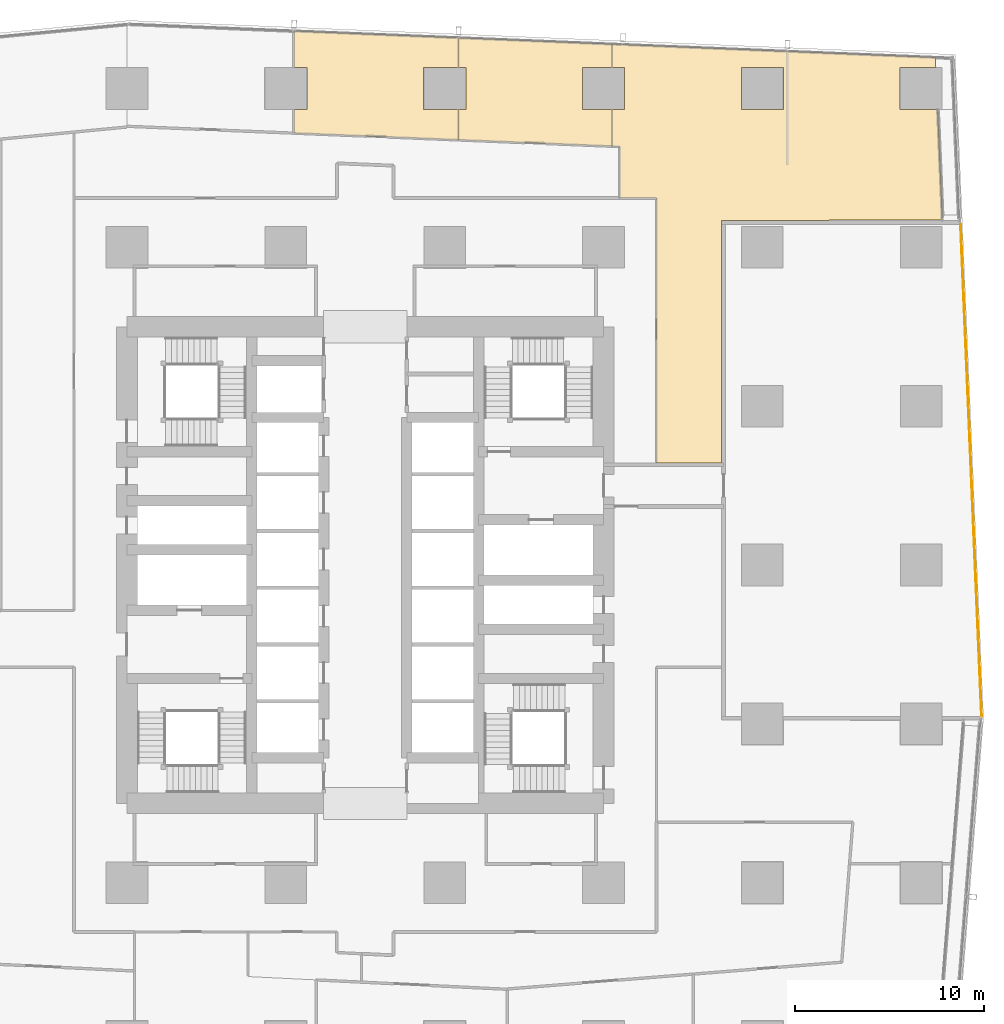
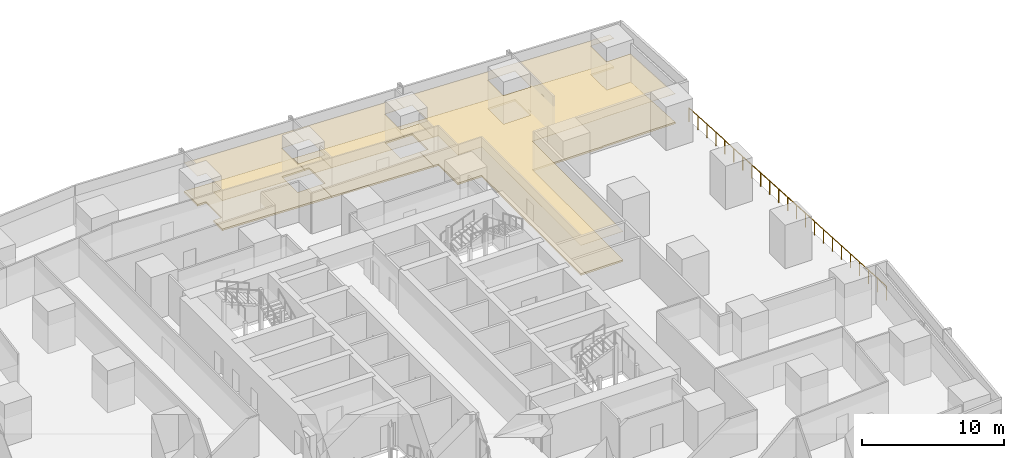
# One storey, part 42 of 42: 6 coverings, 1 railing.
"""IFC4 building model written with IfcOpenShell, lengths in metres."""

from ifc_helpers import new_model, si_unit, direction, frame, origin, origin_2d, place, context, subcontext, project, spatial, polyline, circle, outline, extrude, material, layer, layer_set, type_object, element, save


model = new_model("IFC4")

# Units and contexts
model_context = context("Model", 3, precision=1e-05, world=origin(), true_north=direction((0.0, 1.0)))
body_context = subcontext(model_context, "Body", "Model", "MODEL_VIEW")
ifc_project = project(units=[si_unit("LENGTHUNIT", "METRE"), si_unit("AREAUNIT", "SQUARE_METRE"), si_unit("VOLUMEUNIT", "CUBIC_METRE"), si_unit("PLANEANGLEUNIT", "RADIAN"), si_unit("MASSUNIT", "GRAM", prefix="KILO")], contexts=[model_context])

# Site, building, storey
site_placement = place(None, origin())
site = spatial("IfcSite", under=ifc_project, at=site_placement, CompositionType="ELEMENT")
building_placement = place(site_placement, origin())
building = spatial("IfcBuilding", under=site, at=building_placement, Name="Rekha Terrace Tower", CompositionType="ELEMENT")
storey_placement = place(building_placement, frame((0.0, 0.0, 70.39990234375)))
storey = spatial("IfcBuildingStorey", under=building, at=storey_placement, Name="L17", CompositionType="ELEMENT", Elevation=70.39990234375)

# Coverings
ifc_material_1 = material(Name="Mineral fibre tile in exposed grid", Category="finish")
ifc_layer_1 = layer(ifc_material_1, 0.02001953125)
ifc_layer_set_1 = layer_set([ifc_layer_1], Name="Mineral fibre tile in exposed grid")
covering_type_1 = type_object("IfcCoveringType", Name="CL1 600x1200 office grid ceiling", PredefinedType="CEILING", material=ifc_layer_set_1)
covering_1_placement = place(storey_placement, frame((0.0, 0.0, 2.580078125)))
element("IfcCovering", 1, at=covering_1_placement, inside=storey, type_object=covering_type_1, Name="Ceiling L17-09", PredefinedType="CEILING", context=body_context, shape_type="SweptSolid", body=[
    extrude(outline(polyline([(53.199951171875, 53.0), (53.199951171875, 39.0009765625), (56.64892578125, 39.0009765625), (56.64892578125, 51.81103515625), (62.31298828125, 51.81103515625), (62.31298828125, 51.843017578125), (68.31298828125, 51.843017578125), (68.06396484375, 57.68505859375), (66.0849609375, 57.68505859375), (66.0849609375, 59.9150390625), (67.968994140625, 59.9150390625), (67.946044921875, 60.443115234375), (60.112060546875, 60.76611328125), (60.112060546875, 54.76611328125), (60.111083984375, 54.76611328125), (60.111083984375, 60.76611328125), (50.85107421875, 61.14794921875), (50.85107421875, 59.9150390625), (51.514892578125, 59.9150390625), (51.514892578125, 57.68505859375), (50.85107421875, 57.68505859375), (50.85107421875, 55.742919921875), (51.2490234375, 55.72705078125), (51.2490234375, 53.0), (53.199951171875, 53.0)]), holes=[polyline([(59.9150390625, 57.68505859375), (57.68505859375, 57.68505859375), (57.68505859375, 59.9150390625), (59.9150390625, 59.9150390625), (59.9150390625, 57.68505859375)])]), origin(), (0.0, 0.0, 1.0), 0.02001953125),
])
covering_2_placement = place(storey_placement, frame((0.0, 0.0, 2.580078125)))
element("IfcCovering", 2, at=covering_2_placement, inside=storey, type_object=covering_type_1, Name="Ceiling L17-10", PredefinedType="CEILING", context=body_context, shape_type="SweptSolid", body=[
    extrude(outline(polyline([(50.85009765625, 59.9150390625), (50.85009765625, 61.14794921875), (42.718994140625, 61.48291015625), (42.718994140625, 59.9150390625), (43.114990234375, 59.9150390625), (43.114990234375, 57.68505859375), (42.718994140625, 57.68505859375), (42.718994140625, 56.077880859375), (50.85009765625, 55.742919921875), (50.85009765625, 57.68505859375), (49.284912109375, 57.68505859375), (49.284912109375, 59.9150390625), (50.85009765625, 59.9150390625)])), origin(), (0.0, 0.0, 1.0), 0.02001953125),
])
covering_3_placement = place(storey_placement, frame((0.0, 0.0, 2.580078125)))
element("IfcCovering", 3, at=covering_3_placement, inside=storey, type_object=covering_type_1, Name="Ceiling L17-11", PredefinedType="CEILING", context=body_context, shape_type="SweptSolid", body=[
    extrude(outline(polyline([(42.718017578125, 59.9150390625), (42.718017578125, 61.48291015625), (34.02294921875, 61.841064453125), (34.02294921875, 59.9150390625), (34.715087890625, 59.9150390625), (34.715087890625, 57.68505859375), (34.02294921875, 57.68505859375), (34.02294921875, 56.43701171875), (42.718017578125, 56.077880859375), (42.718017578125, 57.68505859375), (40.885009765625, 57.68505859375), (40.885009765625, 59.9150390625), (42.718017578125, 59.9150390625)])), origin(), (0.0, 0.0, 1.0), 0.02001953125),
])

# Railing
ifc_material_2 = material(Name="Steel guard with vertical balusters", Category="steel")
railing_type = type_object("IfcRailingType", Name="GR2 refuge area guard 1200", PredefinedType="GUARDRAIL", material=ifc_material_2)
railing_placement = place(storey_placement, frame((70.39599609375, 25.60302734375, 0.0)))
element("IfcRailing", 4, at=railing_placement, inside=storey, type_object=railing_type, Name="Refuge area guard L17", PredefinedType="GUARDRAIL", context=body_context, shape_type="SweptSolid", body=[
    extrude(circle(Radius=0.02392578125, at=origin_2d()), frame((0.0, 0.0, 1.17578125), z_axis=(-0.042720877701, 0.999087046562, 0.0), x_axis=(-0.999087046562, -0.042720877701, 0.0)), (0.0, 0.0, 1.0), 26.03076171875),
    extrude(circle(Radius=0.02099609375, at=origin_2d()), origin(), (0.0, 0.0, 1.0), 1.15185546875),
    extrude(circle(Radius=0.02099609375, at=origin_2d()), frame((-0.050537109375, 1.18212890625, 0.0)), (0.0, 0.0, 1.0), 1.15185546875),
    extrude(circle(Radius=0.02099609375, at=origin_2d()), frame((-0.10107421875, 2.3642578125, 0.0)), (0.0, 0.0, 1.0), 1.15185546875),
    extrude(circle(Radius=0.02099609375, at=origin_2d()), frame((-0.151611328125, 3.54638671875, 0.0)), (0.0, 0.0, 1.0), 1.15185546875),
    extrude(circle(Radius=0.02099609375, at=origin_2d()), frame((-0.2021484375, 4.728515625, 0.0)), (0.0, 0.0, 1.0), 1.15185546875),
    extrude(circle(Radius=0.02099609375, at=origin_2d()), frame((-0.252685546875, 5.91064453125, 0.0)), (0.0, 0.0, 1.0), 1.15185546875),
    extrude(circle(Radius=0.02099609375, at=origin_2d()), frame((-0.30322265625, 7.0927734375, 0.0)), (0.0, 0.0, 1.0), 1.15185546875),
    extrude(circle(Radius=0.02099609375, at=origin_2d()), frame((-0.353759765625, 8.27490234375, 0.0)), (0.0, 0.0, 1.0), 1.15185546875),
    extrude(circle(Radius=0.02099609375, at=origin_2d()), frame((-0.404296875, 9.45703125, 0.0)), (0.0, 0.0, 1.0), 1.15185546875),
    extrude(circle(Radius=0.02099609375, at=origin_2d()), frame((-0.454833984375, 10.63916015625, 0.0)), (0.0, 0.0, 1.0), 1.15185546875),
    extrude(circle(Radius=0.02099609375, at=origin_2d()), frame((-0.50537109375, 11.8212890625, 0.0)), (0.0, 0.0, 1.0), 1.15185546875),
    extrude(circle(Radius=0.02099609375, at=origin_2d()), frame((-0.55615234375, 13.00341796875, 0.0)), (0.0, 0.0, 1.0), 1.15185546875),
    extrude(circle(Radius=0.02099609375, at=origin_2d()), frame((-0.606689453125, 14.185791015625, 0.0)), (0.0, 0.0, 1.0), 1.15185546875),
    extrude(circle(Radius=0.02099609375, at=origin_2d()), frame((-0.6572265625, 15.367919921875, 0.0)), (0.0, 0.0, 1.0), 1.15185546875),
    extrude(circle(Radius=0.02099609375, at=origin_2d()), frame((-0.707763671875, 16.550048828125, 0.0)), (0.0, 0.0, 1.0), 1.15185546875),
    extrude(circle(Radius=0.02099609375, at=origin_2d()), frame((-0.75830078125, 17.732177734375, 0.0)), (0.0, 0.0, 1.0), 1.15185546875),
    extrude(circle(Radius=0.02099609375, at=origin_2d()), frame((-0.808837890625, 18.914306640625, 0.0)), (0.0, 0.0, 1.0), 1.15185546875),
    extrude(circle(Radius=0.02099609375, at=origin_2d()), frame((-0.859375, 20.096435546875, 0.0)), (0.0, 0.0, 1.0), 1.15185546875),
    extrude(circle(Radius=0.02099609375, at=origin_2d()), frame((-0.909912109375, 21.278564453125, 0.0)), (0.0, 0.0, 1.0), 1.15185546875),
    extrude(circle(Radius=0.02099609375, at=origin_2d()), frame((-0.96044921875, 22.460693359375, 0.0)), (0.0, 0.0, 1.0), 1.15185546875),
    extrude(circle(Radius=0.02099609375, at=origin_2d()), frame((-1.010986328125, 23.642822265625, 0.0)), (0.0, 0.0, 1.0), 1.15185546875),
    extrude(circle(Radius=0.02099609375, at=origin_2d()), frame((-1.0615234375, 24.824951171875, 0.0)), (0.0, 0.0, 1.0), 1.15185546875),
    extrude(circle(Radius=0.02099609375, at=origin_2d()), frame((-1.112060546875, 26.007080078125, 0.0)), (0.0, 0.0, 1.0), 1.15185546875),
])

# Coverings
ifc_material_3 = material(Name="Calcium sulphate panels on steel pedestals", Category="steel")
ifc_layer_2 = layer(ifc_material_3, 0.14990234375)
ifc_layer_set_2 = layer_set([ifc_layer_2], Name="Calcium sulphate panels on steel pedestals")
covering_type_2 = type_object("IfcCoveringType", Name="RF1 150 raised access floor", PredefinedType="FLOORING", material=ifc_layer_set_2)
covering_4_placement = place(storey_placement, origin())
element("IfcCovering", 5, at=covering_4_placement, inside=storey, type_object=covering_type_2, Name="Raised floor L17-09", PredefinedType="FLOORING", context=body_context, shape_type="SweptSolid", body=[
    extrude(outline(polyline([(53.199951171875, 53.0), (53.199951171875, 39.0009765625), (56.64892578125, 39.0009765625), (56.64892578125, 51.81103515625), (62.31298828125, 51.81103515625), (62.31298828125, 51.843017578125), (68.31298828125, 51.843017578125), (68.06396484375, 57.68505859375), (66.0849609375, 57.68505859375), (66.0849609375, 59.9150390625), (67.968994140625, 59.9150390625), (67.946044921875, 60.443115234375), (60.112060546875, 60.76611328125), (60.112060546875, 54.76611328125), (60.111083984375, 54.76611328125), (60.111083984375, 60.76611328125), (50.85107421875, 61.14794921875), (50.85107421875, 59.9150390625), (51.514892578125, 59.9150390625), (51.514892578125, 57.68505859375), (50.85107421875, 57.68505859375), (50.85107421875, 55.742919921875), (51.2490234375, 55.72705078125), (51.2490234375, 53.0), (53.199951171875, 53.0)]), holes=[polyline([(59.9150390625, 57.68505859375), (57.68505859375, 57.68505859375), (57.68505859375, 59.9150390625), (59.9150390625, 59.9150390625), (59.9150390625, 57.68505859375)])]), origin(), (0.0, 0.0, 1.0), 0.150146484375),
])
covering_5_placement = place(storey_placement, origin())
element("IfcCovering", 6, at=covering_5_placement, inside=storey, type_object=covering_type_2, Name="Raised floor L17-10", PredefinedType="FLOORING", context=body_context, shape_type="SweptSolid", body=[
    extrude(outline(polyline([(50.85009765625, 59.9150390625), (50.85009765625, 61.14794921875), (42.718994140625, 61.48291015625), (42.718994140625, 59.9150390625), (43.114990234375, 59.9150390625), (43.114990234375, 57.68505859375), (42.718994140625, 57.68505859375), (42.718994140625, 56.077880859375), (50.85009765625, 55.742919921875), (50.85009765625, 57.68505859375), (49.284912109375, 57.68505859375), (49.284912109375, 59.9150390625), (50.85009765625, 59.9150390625)])), origin(), (0.0, 0.0, 1.0), 0.150146484375),
])
covering_6_placement = place(storey_placement, origin())
element("IfcCovering", 7, at=covering_6_placement, inside=storey, type_object=covering_type_2, Name="Raised floor L17-11", PredefinedType="FLOORING", context=body_context, shape_type="SweptSolid", body=[
    extrude(outline(polyline([(42.718017578125, 59.9150390625), (42.718017578125, 61.48291015625), (34.02294921875, 61.841064453125), (34.02294921875, 59.9150390625), (34.715087890625, 59.9150390625), (34.715087890625, 57.68505859375), (34.02294921875, 57.68505859375), (34.02294921875, 56.43701171875), (42.718017578125, 56.077880859375), (42.718017578125, 57.68505859375), (40.885009765625, 57.68505859375), (40.885009765625, 59.9150390625), (42.718017578125, 59.9150390625)])), origin(), (0.0, 0.0, 1.0), 0.150146484375),
])

save(model, "model.ifc")
